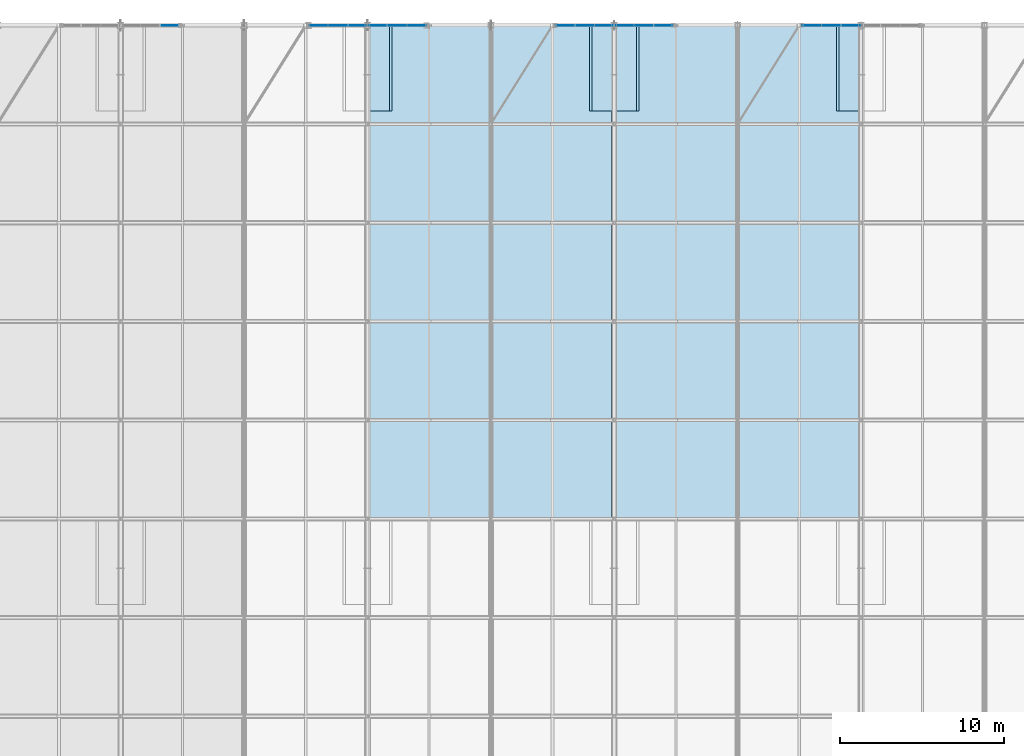
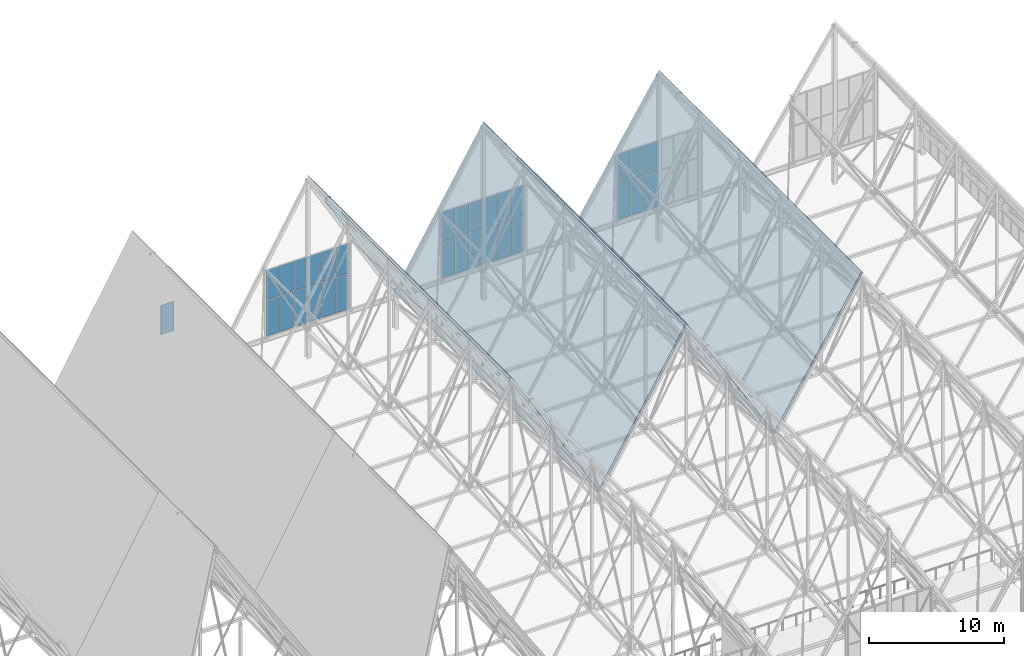
# One storey, part 280 of 324: 35 plates, 4 slabs, 4 elements without a shape of their own.
"""IFC4 building model written with IfcOpenShell, lengths in metres."""

from ifc_helpers import new_model, si_unit, direction, frame, origin, origin_2d, place, context, subcontext, project, spatial, polyline, rectangle, outline, extrude, material, layer, layer_set, type_object, element, aggregate, save


model = new_model("IFC4")

# Units and contexts
model_context = context("Model", 3, precision=1e-05, world=origin(), true_north=direction((0.0, 1.0)))
body_context = subcontext(model_context, "Body", "Model", "MODEL_VIEW")
ifc_project = project(units=[si_unit("LENGTHUNIT", "METRE"), si_unit("AREAUNIT", "SQUARE_METRE"), si_unit("VOLUMEUNIT", "CUBIC_METRE"), si_unit("PLANEANGLEUNIT", "RADIAN"), si_unit("MASSUNIT", "GRAM", prefix="KILO")], contexts=[model_context])

# Site, building, storey
site_placement = place(None, origin())
site = spatial("IfcSite", under=ifc_project, at=site_placement, CompositionType="ELEMENT")
building_placement = place(site_placement, origin())
building = spatial("IfcBuilding", under=site, at=building_placement, Name="Solvenia Promenade Tram Depot", CompositionType="ELEMENT")
storey_placement = place(building_placement, frame((0.0, 0.0, 4.5)))
storey = spatial("IfcBuildingStorey", under=building, at=storey_placement, Name="L01", CompositionType="ELEMENT", Elevation=4.5)

# Curtain wall, plate
ifc_material_1 = material(Name="Anodized aluminium AW-6063 T6", Category="aluminium")
ifc_layer_1 = layer(ifc_material_1, 0.14990234375, Name="Anodized aluminium AW-6063 T6", Category="aluminium")
ifc_layer_set_1 = layer_set([ifc_layer_1], Name="Anodized aluminium AW-6063 T6")
curtain_wall_type = type_object("IfcCurtainWallType", Name="CW-Gable-1200", PredefinedType="NOTDEFINED", material=ifc_layer_set_1)
curtain_wall_1_placement = place(storey_placement, origin())
curtain_wall_1 = element("IfcCurtainWall", 1, at=curtain_wall_1_placement, inside=storey, type_object=curtain_wall_type, Name="North Zigzag Gable 06 Peak Glazing", PredefinedType="NOTDEFINED")
ifc_material_2 = material(Name="Low-iron translucent U-profile channel glass", Category="glass")
ifc_layer_2 = layer(ifc_material_2, 0.028076171875, Name="Low-iron translucent U-profile channel glass", Category="glass")
ifc_layer_set_2 = layer_set([ifc_layer_2], Name="Low-iron translucent U-profile channel glass")
plate_type_1 = type_object("IfcPlateType", Name="CWP-Panel-1", PredefinedType="CURTAIN_PANEL", material=ifc_layer_set_2)
plate_1_placement = place(storey_placement, frame((85.488037109375, 126.0, 6.428955078125), z_axis=(0.0, 0.0, 1.0), x_axis=(1.0, 0.0, 0.0)))
plate_1 = element("IfcPlate", 2, at=plate_1_placement, type_object=plate_type_1, Name="CW-3 panel 6.2", PredefinedType="CURTAIN_PANEL", context=body_context, shape_type="SweptSolid", body=[
    extrude(rectangle(XDim=1.1279296875, YDim=0.028076171875, at=origin_2d()), origin(), (0.0, 0.0, 1.0), 2.6630859375),
])
aggregate(curtain_wall_1, [plate_1])

# Curtain wall, plates
curtain_wall_2_placement = place(storey_placement, origin())
curtain_wall_2 = element("IfcCurtainWall", 3, at=curtain_wall_2_placement, inside=storey, type_object=curtain_wall_type, Name="North Zigzag Gable 07 Peak Glazing", PredefinedType="NOTDEFINED")
plate_2_placement = place(storey_placement, frame((94.511962890625, 126.0, 3.157958984375), z_axis=(0.0, 0.0, 1.0), x_axis=(1.0, 0.0, 0.0)))
plate_2 = element("IfcPlate", 4, at=plate_2_placement, type_object=plate_type_1, Name="CW-3 panel 1.1", PredefinedType="CURTAIN_PANEL", context=body_context, shape_type="SweptSolid", body=[
    extrude(rectangle(XDim=1.1279296875, YDim=0.028076171875, at=origin_2d()), origin(), (0.0, 0.0, 1.0), 3.212890625),
])
plate_3_placement = place(storey_placement, frame((94.511962890625, 126.0, 6.428955078125), z_axis=(0.0, 0.0, 1.0), x_axis=(1.0, 0.0, 0.0)))
plate_3 = element("IfcPlate", 5, at=plate_3_placement, type_object=plate_type_1, Name="CW-3 panel 1.2", PredefinedType="CURTAIN_PANEL", context=body_context, shape_type="SweptSolid", body=[
    extrude(rectangle(XDim=1.1279296875, YDim=0.028076171875, at=origin_2d()), origin(), (0.0, 0.0, 1.0), 2.6630859375),
])
plate_4_placement = place(storey_placement, frame((95.699951171875, 126.0, 3.157958984375), z_axis=(0.0, 0.0, 1.0), x_axis=(1.0, 0.0, 0.0)))
plate_4 = element("IfcPlate", 6, at=plate_4_placement, type_object=plate_type_1, Name="CW-3 panel 2.1", PredefinedType="CURTAIN_PANEL", context=body_context, shape_type="SweptSolid", body=[
    extrude(rectangle(XDim=1.152099609375, YDim=0.028076171875, at=origin_2d()), origin(), (0.0, 0.0, 1.0), 3.212890625),
])
plate_5_placement = place(storey_placement, frame((95.699951171875, 126.0, 6.428955078125), z_axis=(0.0, 0.0, 1.0), x_axis=(1.0, 0.0, 0.0)))
plate_5 = element("IfcPlate", 7, at=plate_5_placement, type_object=plate_type_1, Name="CW-3 panel 2.2", PredefinedType="CURTAIN_PANEL", context=body_context, shape_type="SweptSolid", body=[
    extrude(rectangle(XDim=1.152099609375, YDim=0.028076171875, at=origin_2d()), origin(), (0.0, 0.0, 1.0), 2.6630859375),
])
plate_6_placement = place(storey_placement, frame((96.89990234375, 126.0, 3.157958984375), z_axis=(0.0, 0.0, 1.0), x_axis=(1.0, 0.0, 0.0)))
plate_6 = element("IfcPlate", 8, at=plate_6_placement, type_object=plate_type_1, Name="CW-3 panel 3.1", PredefinedType="CURTAIN_PANEL", context=body_context, shape_type="SweptSolid", body=[
    extrude(rectangle(XDim=1.152099609375, YDim=0.028076171875, at=origin_2d()), origin(), (0.0, 0.0, 1.0), 3.212890625),
])
plate_7_placement = place(storey_placement, frame((96.89990234375, 126.0, 6.428955078125), z_axis=(0.0, 0.0, 1.0), x_axis=(1.0, 0.0, 0.0)))
plate_7 = element("IfcPlate", 9, at=plate_7_placement, type_object=plate_type_1, Name="CW-3 panel 3.2", PredefinedType="CURTAIN_PANEL", context=body_context, shape_type="SweptSolid", body=[
    extrude(rectangle(XDim=1.152099609375, YDim=0.028076171875, at=origin_2d()), origin(), (0.0, 0.0, 1.0), 2.6630859375),
])
plate_8_placement = place(storey_placement, frame((98.10009765625, 126.0, 3.157958984375), z_axis=(0.0, 0.0, 1.0), x_axis=(1.0, 0.0, 0.0)))
plate_8 = element("IfcPlate", 10, at=plate_8_placement, type_object=plate_type_1, Name="CW-3 panel 4.1", PredefinedType="CURTAIN_PANEL", context=body_context, shape_type="SweptSolid", body=[
    extrude(rectangle(XDim=1.152099609375, YDim=0.028076171875, at=origin_2d()), origin(), (0.0, 0.0, 1.0), 3.212890625),
])
plate_9_placement = place(storey_placement, frame((98.10009765625, 126.0, 6.428955078125), z_axis=(0.0, 0.0, 1.0), x_axis=(1.0, 0.0, 0.0)))
plate_9 = element("IfcPlate", 11, at=plate_9_placement, type_object=plate_type_1, Name="CW-3 panel 4.2", PredefinedType="CURTAIN_PANEL", context=body_context, shape_type="SweptSolid", body=[
    extrude(rectangle(XDim=1.152099609375, YDim=0.028076171875, at=origin_2d()), origin(), (0.0, 0.0, 1.0), 2.6630859375),
])
plate_10_placement = place(storey_placement, frame((99.300048828125, 126.0, 3.157958984375), z_axis=(0.0, 0.0, 1.0), x_axis=(1.0, 0.0, 0.0)))
plate_10 = element("IfcPlate", 12, at=plate_10_placement, type_object=plate_type_1, Name="CW-3 panel 5.1", PredefinedType="CURTAIN_PANEL", context=body_context, shape_type="SweptSolid", body=[
    extrude(rectangle(XDim=1.152099609375, YDim=0.028076171875, at=origin_2d()), origin(), (0.0, 0.0, 1.0), 3.212890625),
])
plate_11_placement = place(storey_placement, frame((99.300048828125, 126.0, 6.428955078125), z_axis=(0.0, 0.0, 1.0), x_axis=(1.0, 0.0, 0.0)))
plate_11 = element("IfcPlate", 13, at=plate_11_placement, type_object=plate_type_1, Name="CW-3 panel 5.2", PredefinedType="CURTAIN_PANEL", context=body_context, shape_type="SweptSolid", body=[
    extrude(rectangle(XDim=1.152099609375, YDim=0.028076171875, at=origin_2d()), origin(), (0.0, 0.0, 1.0), 2.6630859375),
])
plate_12_placement = place(storey_placement, frame((100.488037109375, 126.0, 3.157958984375), z_axis=(0.0, 0.0, 1.0), x_axis=(1.0, 0.0, 0.0)))
plate_12 = element("IfcPlate", 14, at=plate_12_placement, type_object=plate_type_1, Name="CW-3 panel 6.1", PredefinedType="CURTAIN_PANEL", context=body_context, shape_type="SweptSolid", body=[
    extrude(rectangle(XDim=1.1279296875, YDim=0.028076171875, at=origin_2d()), origin(), (0.0, 0.0, 1.0), 3.212890625),
])
plate_13_placement = place(storey_placement, frame((100.488037109375, 126.0, 6.428955078125), z_axis=(0.0, 0.0, 1.0), x_axis=(1.0, 0.0, 0.0)))
plate_13 = element("IfcPlate", 15, at=plate_13_placement, type_object=plate_type_1, Name="CW-3 panel 6.2", PredefinedType="CURTAIN_PANEL", context=body_context, shape_type="SweptSolid", body=[
    extrude(rectangle(XDim=1.1279296875, YDim=0.028076171875, at=origin_2d()), origin(), (0.0, 0.0, 1.0), 2.6630859375),
])
aggregate(curtain_wall_2, [plate_2, plate_3, plate_4, plate_5, plate_6, plate_7, plate_8, plate_9, plate_10, plate_11, plate_12, plate_13])

curtain_wall_3_placement = place(storey_placement, origin())
curtain_wall_3 = element("IfcCurtainWall", 16, at=curtain_wall_3_placement, inside=storey, type_object=curtain_wall_type, Name="North Zigzag Gable 08 Peak Glazing", PredefinedType="NOTDEFINED")
plate_14_placement = place(storey_placement, frame((109.511962890625, 126.0, 3.157958984375), z_axis=(0.0, 0.0, 1.0), x_axis=(1.0, 0.0, 0.0)))
plate_14 = element("IfcPlate", 17, at=plate_14_placement, type_object=plate_type_1, Name="CW-3 panel 1.1", PredefinedType="CURTAIN_PANEL", context=body_context, shape_type="SweptSolid", body=[
    extrude(rectangle(XDim=1.1279296875, YDim=0.028076171875, at=origin_2d()), origin(), (0.0, 0.0, 1.0), 3.212890625),
])
plate_15_placement = place(storey_placement, frame((109.511962890625, 126.0, 6.428955078125), z_axis=(0.0, 0.0, 1.0), x_axis=(1.0, 0.0, 0.0)))
plate_15 = element("IfcPlate", 18, at=plate_15_placement, type_object=plate_type_1, Name="CW-3 panel 1.2", PredefinedType="CURTAIN_PANEL", context=body_context, shape_type="SweptSolid", body=[
    extrude(rectangle(XDim=1.1279296875, YDim=0.028076171875, at=origin_2d()), origin(), (0.0, 0.0, 1.0), 2.6630859375),
])
plate_16_placement = place(storey_placement, frame((110.699951171875, 126.0, 3.157958984375), z_axis=(0.0, 0.0, 1.0), x_axis=(1.0, 0.0, 0.0)))
plate_16 = element("IfcPlate", 19, at=plate_16_placement, type_object=plate_type_1, Name="CW-3 panel 2.1", PredefinedType="CURTAIN_PANEL", context=body_context, shape_type="SweptSolid", body=[
    extrude(rectangle(XDim=1.152099609375, YDim=0.028076171875, at=origin_2d()), origin(), (0.0, 0.0, 1.0), 3.212890625),
])
plate_17_placement = place(storey_placement, frame((110.699951171875, 126.0, 6.428955078125), z_axis=(0.0, 0.0, 1.0), x_axis=(1.0, 0.0, 0.0)))
plate_17 = element("IfcPlate", 20, at=plate_17_placement, type_object=plate_type_1, Name="CW-3 panel 2.2", PredefinedType="CURTAIN_PANEL", context=body_context, shape_type="SweptSolid", body=[
    extrude(rectangle(XDim=1.152099609375, YDim=0.028076171875, at=origin_2d()), origin(), (0.0, 0.0, 1.0), 2.6630859375),
])
plate_18_placement = place(storey_placement, frame((111.89990234375, 126.0, 3.157958984375), z_axis=(0.0, 0.0, 1.0), x_axis=(1.0, 0.0, 0.0)))
plate_18 = element("IfcPlate", 21, at=plate_18_placement, type_object=plate_type_1, Name="CW-3 panel 3.1", PredefinedType="CURTAIN_PANEL", context=body_context, shape_type="SweptSolid", body=[
    extrude(rectangle(XDim=1.152099609375, YDim=0.028076171875, at=origin_2d()), origin(), (0.0, 0.0, 1.0), 3.212890625),
])
plate_19_placement = place(storey_placement, frame((111.89990234375, 126.0, 6.428955078125), z_axis=(0.0, 0.0, 1.0), x_axis=(1.0, 0.0, 0.0)))
plate_19 = element("IfcPlate", 22, at=plate_19_placement, type_object=plate_type_1, Name="CW-3 panel 3.2", PredefinedType="CURTAIN_PANEL", context=body_context, shape_type="SweptSolid", body=[
    extrude(rectangle(XDim=1.152099609375, YDim=0.028076171875, at=origin_2d()), origin(), (0.0, 0.0, 1.0), 2.6630859375),
])
plate_20_placement = place(storey_placement, frame((113.10009765625, 126.0, 3.157958984375), z_axis=(0.0, 0.0, 1.0), x_axis=(1.0, 0.0, 0.0)))
plate_20 = element("IfcPlate", 23, at=plate_20_placement, type_object=plate_type_1, Name="CW-3 panel 4.1", PredefinedType="CURTAIN_PANEL", context=body_context, shape_type="SweptSolid", body=[
    extrude(rectangle(XDim=1.152099609375, YDim=0.028076171875, at=origin_2d()), origin(), (0.0, 0.0, 1.0), 3.212890625),
])
plate_21_placement = place(storey_placement, frame((113.10009765625, 126.0, 6.428955078125), z_axis=(0.0, 0.0, 1.0), x_axis=(1.0, 0.0, 0.0)))
plate_21 = element("IfcPlate", 24, at=plate_21_placement, type_object=plate_type_1, Name="CW-3 panel 4.2", PredefinedType="CURTAIN_PANEL", context=body_context, shape_type="SweptSolid", body=[
    extrude(rectangle(XDim=1.152099609375, YDim=0.028076171875, at=origin_2d()), origin(), (0.0, 0.0, 1.0), 2.6630859375),
])
plate_22_placement = place(storey_placement, frame((114.300048828125, 126.0, 3.157958984375), z_axis=(0.0, 0.0, 1.0), x_axis=(1.0, 0.0, 0.0)))
plate_22 = element("IfcPlate", 25, at=plate_22_placement, type_object=plate_type_1, Name="CW-3 panel 5.1", PredefinedType="CURTAIN_PANEL", context=body_context, shape_type="SweptSolid", body=[
    extrude(rectangle(XDim=1.152099609375, YDim=0.028076171875, at=origin_2d()), origin(), (0.0, 0.0, 1.0), 3.212890625),
])
plate_23_placement = place(storey_placement, frame((114.300048828125, 126.0, 6.428955078125), z_axis=(0.0, 0.0, 1.0), x_axis=(1.0, 0.0, 0.0)))
plate_23 = element("IfcPlate", 26, at=plate_23_placement, type_object=plate_type_1, Name="CW-3 panel 5.2", PredefinedType="CURTAIN_PANEL", context=body_context, shape_type="SweptSolid", body=[
    extrude(rectangle(XDim=1.152099609375, YDim=0.028076171875, at=origin_2d()), origin(), (0.0, 0.0, 1.0), 2.6630859375),
])
plate_24_placement = place(storey_placement, frame((115.488037109375, 126.0, 3.157958984375), z_axis=(0.0, 0.0, 1.0), x_axis=(1.0, 0.0, 0.0)))
plate_24 = element("IfcPlate", 27, at=plate_24_placement, type_object=plate_type_1, Name="CW-3 panel 6.1", PredefinedType="CURTAIN_PANEL", context=body_context, shape_type="SweptSolid", body=[
    extrude(rectangle(XDim=1.1279296875, YDim=0.028076171875, at=origin_2d()), origin(), (0.0, 0.0, 1.0), 3.212890625),
])
plate_25_placement = place(storey_placement, frame((115.488037109375, 126.0, 6.428955078125), z_axis=(0.0, 0.0, 1.0), x_axis=(1.0, 0.0, 0.0)))
plate_25 = element("IfcPlate", 28, at=plate_25_placement, type_object=plate_type_1, Name="CW-3 panel 6.2", PredefinedType="CURTAIN_PANEL", context=body_context, shape_type="SweptSolid", body=[
    extrude(rectangle(XDim=1.1279296875, YDim=0.028076171875, at=origin_2d()), origin(), (0.0, 0.0, 1.0), 2.6630859375),
])
aggregate(curtain_wall_3, [plate_14, plate_15, plate_16, plate_17, plate_18, plate_19, plate_20, plate_21, plate_22, plate_23, plate_24, plate_25])

curtain_wall_4_placement = place(storey_placement, origin())
curtain_wall_4 = element("IfcCurtainWall", 29, at=curtain_wall_4_placement, inside=storey, type_object=curtain_wall_type, Name="North Zigzag Gable 09 Peak Glazing", PredefinedType="NOTDEFINED")
plate_26_placement = place(storey_placement, frame((124.511962890625, 126.0, 3.157958984375), z_axis=(0.0, 0.0, 1.0), x_axis=(1.0, 0.0, 0.0)))
plate_26 = element("IfcPlate", 30, at=plate_26_placement, type_object=plate_type_1, Name="CW-3 panel 1.1", PredefinedType="CURTAIN_PANEL", context=body_context, shape_type="SweptSolid", body=[
    extrude(rectangle(XDim=1.1279296875, YDim=0.028076171875, at=origin_2d()), origin(), (0.0, 0.0, 1.0), 3.212890625),
])
plate_27_placement = place(storey_placement, frame((124.511962890625, 126.0, 6.428955078125), z_axis=(0.0, 0.0, 1.0), x_axis=(1.0, 0.0, 0.0)))
plate_27 = element("IfcPlate", 31, at=plate_27_placement, type_object=plate_type_1, Name="CW-3 panel 1.2", PredefinedType="CURTAIN_PANEL", context=body_context, shape_type="SweptSolid", body=[
    extrude(rectangle(XDim=1.1279296875, YDim=0.028076171875, at=origin_2d()), origin(), (0.0, 0.0, 1.0), 2.6630859375),
])
plate_28_placement = place(storey_placement, frame((125.699951171875, 126.0, 3.157958984375), z_axis=(0.0, 0.0, 1.0), x_axis=(1.0, 0.0, 0.0)))
plate_28 = element("IfcPlate", 32, at=plate_28_placement, type_object=plate_type_1, Name="CW-3 panel 2.1", PredefinedType="CURTAIN_PANEL", context=body_context, shape_type="SweptSolid", body=[
    extrude(rectangle(XDim=1.152099609375, YDim=0.028076171875, at=origin_2d()), origin(), (0.0, 0.0, 1.0), 3.212890625),
])
plate_29_placement = place(storey_placement, frame((125.699951171875, 126.0, 6.428955078125), z_axis=(0.0, 0.0, 1.0), x_axis=(1.0, 0.0, 0.0)))
plate_29 = element("IfcPlate", 33, at=plate_29_placement, type_object=plate_type_1, Name="CW-3 panel 2.2", PredefinedType="CURTAIN_PANEL", context=body_context, shape_type="SweptSolid", body=[
    extrude(rectangle(XDim=1.152099609375, YDim=0.028076171875, at=origin_2d()), origin(), (0.0, 0.0, 1.0), 2.6630859375),
])
plate_30_placement = place(storey_placement, frame((126.89990234375, 126.0, 3.157958984375), z_axis=(0.0, 0.0, 1.0), x_axis=(1.0, 0.0, 0.0)))
plate_30 = element("IfcPlate", 34, at=plate_30_placement, type_object=plate_type_1, Name="CW-3 panel 3.1", PredefinedType="CURTAIN_PANEL", context=body_context, shape_type="SweptSolid", body=[
    extrude(rectangle(XDim=1.152099609375, YDim=0.028076171875, at=origin_2d()), origin(), (0.0, 0.0, 1.0), 3.212890625),
])
plate_31_placement = place(storey_placement, frame((126.89990234375, 126.0, 6.428955078125), z_axis=(0.0, 0.0, 1.0), x_axis=(1.0, 0.0, 0.0)))
plate_31 = element("IfcPlate", 35, at=plate_31_placement, type_object=plate_type_1, Name="CW-3 panel 3.2", PredefinedType="CURTAIN_PANEL", context=body_context, shape_type="SweptSolid", body=[
    extrude(rectangle(XDim=1.152099609375, YDim=0.028076171875, at=origin_2d()), origin(), (0.0, 0.0, 1.0), 2.6630859375),
])
aggregate(curtain_wall_4, [plate_26, plate_27, plate_28, plate_29, plate_30, plate_31])

# Plates
ifc_material_3 = material(Name="Translucent multi-wall insulated polycarbonate cassette", Category="other")
ifc_layer_3 = layer(ifc_material_3, 0.0419921875, Name="Translucent multi-wall insulated polycarbonate cassette", Category="other")
ifc_layer_set_3 = layer_set([ifc_layer_3], Name="Translucent multi-wall insulated polycarbonate cassette")
plate_type_2 = type_object("IfcPlateType", Name="DaylightCassette-1", PredefinedType="SHEET", material=ifc_layer_set_3)
plate_32_placement = place(storey_placement, frame((97.5, 96.0, 16.47998046875), z_axis=(0.865148214095, 0.0, 0.501516268578), x_axis=(0.0, 1.0, 0.0)))
element("IfcPlate", 36, at=plate_32_placement, inside=storey, type_object=plate_type_2, Name="Insulated Daylight Gable 07 East Skylight Cladding 2", PredefinedType="SHEET", context=body_context, shape_type="SweptSolid", body=[
    extrude(outline(polyline([(0.0, 0.0), (30.0, 0.0), (30.0, -14.954649469839215), (0.0, -14.954649469839215), (0.0, 0.0)])), origin(), (0.0, 0.0, -1.0), 0.0419921875),
])
for number, where, z_axis, x_axis, name in (
    (37, (105.0, 96.0, 3.5419921875), (-0.857439712718, 0.0, 0.514584433357), (0.0, 1.0, 0.0), "Insulated Daylight Gable 08 West Skylight Cladding 2"),
    (38, (112.5, 96.0, 16.0390625), (0.857439712718, 0.0, 0.514584433357), (0.0, 1.0, 0.0), "Insulated Daylight Gable 08 East Skylight Cladding 2"),
):
    element("IfcPlate", number, at=place(storey_placement, frame(where, z_axis=z_axis, x_axis=x_axis)), inside=storey, type_object=plate_type_2, Name=name, PredefinedType="SHEET", context=body_context, shape_type="SweptSolid", body=[
        extrude(outline(polyline([(0.0, 0.0), (30.0, 0.0), (30.0, -14.574867628749457), (0.0, -14.574867628749457), (0.0, 0.0)])), origin(), (0.0, 0.0, -1.0), 0.0419921875),
    ])
plate_33_placement = place(storey_placement, frame((120.0, 96.0, 3.5419921875), z_axis=(-0.845790850581, 0.0, 0.533514608116), x_axis=(0.0, 1.0, 0.0)))
element("IfcPlate", 39, at=plate_33_placement, inside=storey, type_object=plate_type_2, Name="Insulated Daylight Gable 09 West Skylight Cladding 2", PredefinedType="SHEET", context=body_context, shape_type="SweptSolid", body=[
    extrude(outline(polyline([(0.0, 0.0), (30.0, 0.0), (30.0, -14.057721917841167), (0.0, -14.057721917841167), (0.0, 0.0)])), origin(), (0.0, 0.0, -1.0), 0.0419921875),
])

# Slabs
ifc_material_4 = material(Name="Concrete C28/35", Category="concrete")
ifc_layer_4 = layer(ifc_material_4, 0.179931640625, Name="Concrete C28/35", Category="concrete")
ifc_layer_set_4 = layer_set([ifc_layer_4], Name="Concrete C28/35")
slab_type = type_object("IfcSlabType", Name="Slab-Valley-180", PredefinedType="ROOF", material=ifc_layer_set_4)
slab_1_placement = place(storey_placement, frame((97.5, 96.0, 16.43798828125), z_axis=(0.865148066638, 4.22792e-07, 0.50151652295), x_axis=(-3.65778e-07, 1.0, -2.12037e-07)))
element("IfcSlab", 40, at=slab_1_placement, inside=storey, type_object=slab_type, Name="Zigzag Gable 07 East Roof Deck 2", PredefinedType="ROOF", context=body_context, shape_type="SweptSolid", body=[
    extrude(outline(polyline([(0.0, 0.0), (24.800048828122783, 0.0), (24.80004882813351, -2.990972137525655), (30.000000000008043, -2.990972137525655), (29.99999999999918, -14.954649469838568), (1.8590130956260074e-12, -14.954649469838568), (0.0, 0.0)])), origin(), (0.0, 0.0, -1.0), 0.179931640625),
])
slab_2_placement = place(storey_placement, frame((105.0, 96.0, 3.5), z_axis=(-0.857439394144, 8.67618e-07, 0.514584964189), x_axis=(7.4393e-07, 1.0, -4.46463e-07)))
element("IfcSlab", 41, at=slab_2_placement, inside=storey, type_object=slab_type, Name="Zigzag Gable 08 West Roof Deck 2", PredefinedType="ROOF", context=body_context, shape_type="SweptSolid", body=[
    extrude(outline(polyline([(0.0, 0.0), (29.99999999998871, -3.1763735522036263e-21), (30.000000000026045, -11.659810368681498), (24.800048828153002, -11.659810368681498), (24.80004882810784, -14.574867628746667), (-7.828636589325992e-12, -14.574867628746667), (0.0, 0.0)])), origin(), (0.0, 0.0, -1.0), 0.179931640625),
])
slab_3_placement = place(storey_placement, frame((112.5, 96.0, 15.9970703125), z_axis=(0.857439394144, 8.67618e-07, 0.514584964189), x_axis=(-7.4393e-07, 1.0, -4.46463e-07)))
element("IfcSlab", 42, at=slab_3_placement, inside=storey, type_object=slab_type, Name="Zigzag Gable 08 East Roof Deck 2", PredefinedType="ROOF", context=body_context, shape_type="SweptSolid", body=[
    extrude(outline(polyline([(0.0, 0.0), (24.800048828115667, 2.6258073063671595e-21), (24.800048828160833, -2.9150572600651676), (30.000000000033875, -2.9150572600651676), (29.999999999996536, -14.574867628746667), (7.828636589325992e-12, -14.574867628746667), (0.0, 0.0)])), origin(), (0.0, 0.0, -1.0), 0.179931640625),
])
slab_4_placement = place(storey_placement, frame((120.0, 96.0, 3.5), z_axis=(-0.845791028101, -4.49767e-07, 0.53351432669), x_axis=(-3.80409e-07, 1.0, 2.39957e-07)))
element("IfcSlab", 43, at=slab_4_placement, inside=storey, type_object=slab_type, Name="Zigzag Gable 09 West Roof Deck 2", PredefinedType="ROOF", context=body_context, shape_type="SweptSolid", body=[
    extrude(outline(polyline([(0.0, 0.0), (29.999999999996966, -7.940933880509066e-22), (30.000000000007, -11.246218832662356), (24.800048828132525, -11.246218832662356), (24.800048828120385, -14.05772191784039), (-2.1037984455545358e-12, -14.05772191784039), (0.0, 0.0)])), origin(), (0.0, 0.0, -1.0), 0.179931640625),
])

save(model, "model.ifc")
